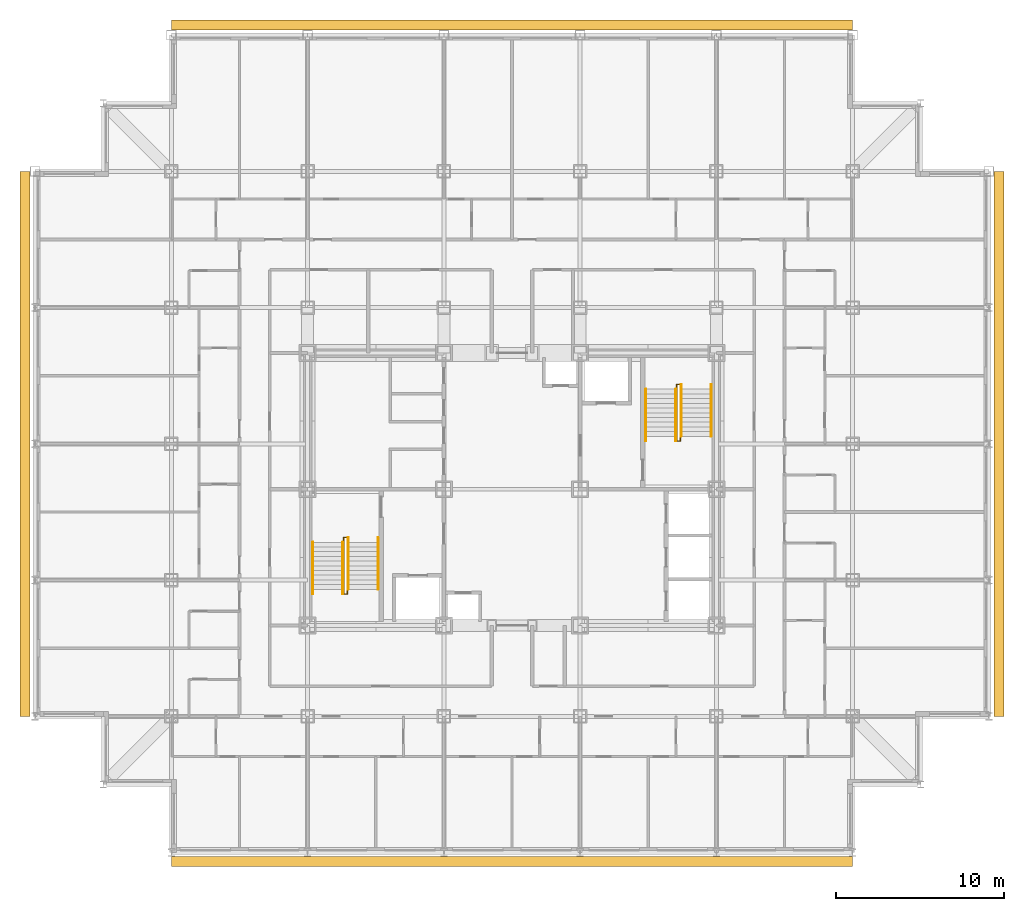
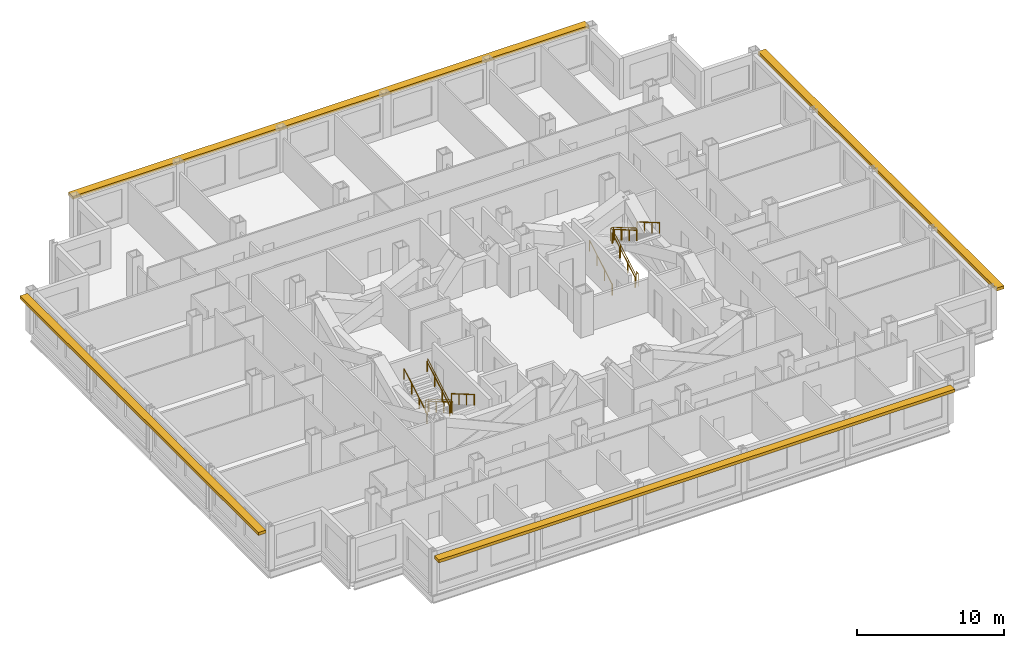
# One storey, part 12 of 12: 10 railings, 4 shading devices.
"""IFC4 building model written with IfcOpenShell, lengths in metres."""

import ifcopenshell
import ifcopenshell.guid

model = None  # the IFC model being written
_history = None  # IfcOwnerHistory: only IFC2X3 demands one
_inside = {}  # id of a spatial element -> (the spatial element, [elements in it])
_under = {}  # id of a project, library or spatial element -> (it, [spatial elements below it])
_declared = {}  # id of a project -> (the project, [libraries it declares])
_typed = {}  # id of a type object -> (the type object, [elements of that type])
_made_of = {}  # id of a material, layer set ... -> (it, [elements and type objects made of it])


def new_model(schema):
    """Start an empty IFC model of exactly this schema.

    Asked for "IFC4X3", IfcOpenShell would pick the latest addendum, in which some entities
    have other attributes; the version numbers below select the first issue.
    IFC2X3 requires an IfcOwnerHistory on every rooted entity: one is made here for all.
    """
    global model, _history
    if schema == "IFC4X3":
        model = ifcopenshell.file(schema_version=(4, 3, 0, 0))
    else:
        model = ifcopenshell.file(schema=schema)
    _inside.clear()
    _under.clear()
    _declared.clear()
    _typed.clear()
    _made_of.clear()
    _history = None
    if model.schema == "IFC2X3":
        org = make("IfcOrganization", Name="unknown")
        user = make(
            "IfcPersonAndOrganization",
            ThePerson=make("IfcPerson", FamilyName="unknown"),
            TheOrganization=org,
        )
        app = make(
            "IfcApplication",
            ApplicationDeveloper=org,
            Version="unknown",
            ApplicationFullName="unknown",
            ApplicationIdentifier="unknown",
        )
        _history = make(
            "IfcOwnerHistory",
            OwningUser=user,
            OwningApplication=app,
            ChangeAction="ADDED",
            CreationDate=0,
        )
    return model


def make(cls, **values):
    """One entity of the class cls with the attributes given. An attribute that is None is left unset."""
    return model.create_entity(
        cls, **{name: value for name, value in values.items() if value is not None}
    )


def rooted(cls, **values):
    """An entity with a GlobalId (a new one), such as an element, a storey or a relation."""
    return make(cls, GlobalId=ifcopenshell.guid.new(), OwnerHistory=_history, **values)


def si_unit(unit_type, name, prefix=None):
    """IfcSIUnit, for example si_unit("LENGTHUNIT", "METRE", prefix="MILLI")."""
    return make("IfcSIUnit", UnitType=unit_type, Prefix=prefix, Name=name)


def assignment(units):
    """IfcUnitAssignment: the units of a project."""
    return None if units is None else make("IfcUnitAssignment", Units=units)


def point(xyz):
    """IfcCartesianPoint."""
    return None if xyz is None else make("IfcCartesianPoint", Coordinates=xyz)


def direction(xyz):
    """IfcDirection."""
    return None if xyz is None else make("IfcDirection", DirectionRatios=xyz)


def frame(location, z_axis=None, x_axis=None):
    """IfcAxis2Placement3D, a coordinate frame: its origin and axes. An axis left out is left unset."""
    return make(
        "IfcAxis2Placement3D",
        Location=point(location),
        Axis=direction(z_axis),
        RefDirection=direction(x_axis),
    )


def frame_2d(location, x_axis=None):
    """IfcAxis2Placement2D, a coordinate frame in the plane: its origin and x axis."""
    return make(
        "IfcAxis2Placement2D", Location=point(location), RefDirection=direction(x_axis)
    )


def origin():
    """The frame at (0, 0, 0) with its axes left unset."""
    return frame((0.0, 0.0, 0.0))


def origin_2d():
    """The frame at (0, 0) in the plane with its x axis left unset."""
    return frame_2d((0.0, 0.0))


def place(relative_to, where):
    """IfcLocalPlacement: puts the frame where relative to a parent placement (None: the world)."""
    return make(
        "IfcLocalPlacement", PlacementRelTo=relative_to, RelativePlacement=where
    )


def context(
    kind, dimensions, precision=None, world=None, true_north=None, identifier=None
):
    """IfcGeometricRepresentationContext, for example the 3D "Model" context."""
    return make(
        "IfcGeometricRepresentationContext",
        ContextIdentifier=identifier,
        ContextType=kind,
        CoordinateSpaceDimension=dimensions,
        Precision=precision,
        WorldCoordinateSystem=world,
        TrueNorth=true_north,
    )


def subcontext(parent, identifier, kind, view, scale=None):
    """IfcGeometricRepresentationSubContext, for example "Body" below "Model"."""
    return make(
        "IfcGeometricRepresentationSubContext",
        ContextIdentifier=identifier,
        ContextType=kind,
        ParentContext=parent,
        TargetScale=scale,
        TargetView=view,
    )


def project(units=None, contexts=None):
    """IfcProject with its units and contexts."""
    return rooted(
        "IfcProject",
        Name="project",
        RepresentationContexts=contexts,
        UnitsInContext=assignment(units),
    )


def spatial(cls, under=None, at=None, **own):
    """A site, building, storey or space (cls), placed at a placement, below another one or the project."""
    s = rooted(cls, ObjectPlacement=at, **own)
    if under is not None:
        _under.setdefault(under.id(), (under, []))[1].append(s)
    return s


def profile(cls, at=None, kind="AREA", **sizes):
    """A parametric profile (cls). Its sizes go by their IFC names, for example OverallWidth=200.0."""
    return make(cls, ProfileType=kind, Position=at, **sizes)


def rectangle(**sizes):
    """IfcRectangleProfileDef."""
    return profile("IfcRectangleProfileDef", **sizes)


def circle(**sizes):
    """IfcCircleProfileDef."""
    return profile("IfcCircleProfileDef", **sizes)


def extrude(swept, where, along, depth):
    """IfcExtrudedAreaSolid: the profile swept, set in the frame where, extruded along a direction by depth."""
    return make(
        "IfcExtrudedAreaSolid",
        SweptArea=swept,
        Position=where,
        ExtrudedDirection=direction(along),
        Depth=depth,
    )


def shape(context_of_items, identifier, shape_type, items):
    """IfcShapeRepresentation: the items that make up one representation, for example the "Body"."""
    return make(
        "IfcShapeRepresentation",
        ContextOfItems=context_of_items,
        RepresentationIdentifier=identifier,
        RepresentationType=shape_type,
        Items=items,
    )


def material(Name=None, Category=None):
    """IfcMaterial."""
    return make("IfcMaterial", Name=Name, Category=Category)


def made_of(thing, what):
    """Note that an element or type object is made of a material, layer set ...; save() writes the relation."""
    if what is not None:
        _made_of.setdefault(what.id(), (what, []))[1].append(thing)
    return thing


def type_object(cls, material=None, **own):
    """A type object (cls), such as IfcWallType, which elements share."""
    return made_of(rooted(cls, **own), material)


def element(
    cls,
    number,
    at=None,
    inside=None,
    cuts=None,
    type_object=None,
    material=None,
    context=None,
    identifier="Body",
    shape_type=None,
    held_by="IfcProductDefinitionShape",
    body=None,
    shapes=None,
    **own,
):
    """One element of the class cls, such as IfcWall. Its Tag is "e" and its number.

    at: its placement. inside: the storey or other place that contains it. cuts: it is an
    opening in that element (IfcRelVoidsElement). A single representation is given by context,
    identifier, shape_type and body (its items); several are given by shapes. held_by: the class
    of the entity that holds the representations. save() writes the other relations.
    """
    e = rooted(cls, Tag="e%d" % number, ObjectPlacement=at, **own)
    if body is not None:
        shapes = [shape(context, identifier, shape_type, body)]
    if shapes is not None:
        e.Representation = make(held_by, Representations=shapes)
    if inside is not None:
        _inside.setdefault(inside.id(), (inside, []))[1].append(e)
    if cuts is not None:
        rooted(
            "IfcRelVoidsElement", RelatingBuildingElement=cuts, RelatedOpeningElement=e
        )
    if type_object is not None:
        _typed.setdefault(type_object.id(), (type_object, []))[1].append(e)
    return made_of(e, material)


def aggregate(whole, parts):
    """IfcRelAggregates: a whole, such as a stair, and the parts it consists of."""
    return rooted("IfcRelAggregates", RelatingObject=whole, RelatedObjects=parts)


def save(model, path):
    """Write the relations noted so far, then the file.

    IfcRelAggregates (storeys below a building ...), IfcRelContainedInSpatialStructure (elements
    in a storey), IfcRelDefinesByType, IfcRelAssociatesMaterial and IfcRelDeclares: one each for
    every whole, place, type object, material and project.
    """
    for whole, parts in _under.values():
        aggregate(whole, parts)
    for where, things in _inside.values():
        rooted(
            "IfcRelContainedInSpatialStructure",
            RelatedElements=things,
            RelatingStructure=where,
        )
    for kind, things in _typed.values():
        rooted("IfcRelDefinesByType", RelatedObjects=things, RelatingType=kind)
    for what, things in _made_of.values():
        rooted("IfcRelAssociatesMaterial", RelatedObjects=things, RelatingMaterial=what)
    for by, libraries in _declared.values():
        rooted("IfcRelDeclares", RelatingContext=by, RelatedDefinitions=libraries)
    model.write(path)


model = new_model("IFC4")

# Units and contexts
model_context = context("Model", 3, precision=1e-05, world=origin(), true_north=direction((0.0, 1.0)))
body_context = subcontext(model_context, "Body", "Model", "MODEL_VIEW")
ifc_project = project(units=[si_unit("LENGTHUNIT", "METRE"), si_unit("AREAUNIT", "SQUARE_METRE"), si_unit("VOLUMEUNIT", "CUBIC_METRE"), si_unit("PLANEANGLEUNIT", "RADIAN"), si_unit("MASSUNIT", "GRAM", prefix="KILO")], contexts=[model_context])

# Site, building, storey
site_placement = place(None, origin())
site = spatial("IfcSite", under=ifc_project, at=site_placement, CompositionType="ELEMENT")
building_placement = place(site_placement, origin())
building = spatial("IfcBuilding", under=site, at=building_placement, Name="Kopane Lantern Tower", CompositionType="ELEMENT")
storey_placement = place(building_placement, frame((0.0, 0.0, 188.39990234375)))
storey = spatial("IfcBuildingStorey", under=building, at=storey_placement, Name="L48", CompositionType="ELEMENT", Elevation=188.39990234375)

# Railings
ifc_material_1 = material(Name="Steel", Category="steel")
railing_type_1 = type_object("IfcRailingType", Name="STAIR GUARD 1100", PredefinedType="GUARDRAIL", material=ifc_material_1)
railing_1_placement = place(storey_placement, frame((18.35009765625, 29.25, 0.0)))
element("IfcRailing", 1, at=railing_1_placement, inside=storey, type_object=railing_type_1, Name="ST1 well guard L48", PredefinedType="GUARDRAIL", context=body_context, shape_type="SweptSolid", body=[
    extrude(circle(Radius=0.02392578125, at=origin_2d()), frame((0.0, 0.0, 1.076171875), z_axis=(0.0, 1.0, 0.0), x_axis=(-1.0, 0.0, 0.0)), (0.0, 0.0, 1.0), 0.280029296875),
    extrude(circle(Radius=0.02392578125, at=origin_2d()), frame((0.0, 0.280029296875, 1.076171875), z_axis=(1.0, 0.0, 0.0), x_axis=(0.0, 1.0, 0.0)), (0.0, 0.0, 1.0), 0.199951171875),
    extrude(circle(Radius=0.02392578125, at=origin_2d()), frame((0.199951171875, 0.280029296875, 1.076171875), z_axis=(0.0, -0.863371556955, 0.504568681787), x_axis=(1.0, 0.0, 0.0)), (0.0, 0.0, 1.0), 3.5673828125),
    extrude(circle(Radius=0.02392578125, at=origin_2d()), frame((0.199951171875, -2.800048828125, 2.8759765625), z_axis=(0.0, -1.0, 0.0), x_axis=(1.0, 0.0, 0.0)), (0.0, 0.0, 1.0), 0.280029296875),
    extrude(circle(Radius=0.02392578125, at=origin_2d()), frame((0.199951171875, -3.080078125, 2.8759765625), z_axis=(-1.0, 0.0, 0.0), x_axis=(0.0, -1.0, 0.0)), (0.0, 0.0, 1.0), 0.199951171875),
    extrude(circle(Radius=0.02392578125, at=origin_2d()), frame((0.0, -3.080078125, 2.8759765625), z_axis=(0.0, 0.863371556955, 0.504568681787), x_axis=(-1.0, 0.0, 0.0)), (0.0, 0.0, 1.0), 3.5673828125),
    extrude(circle(Radius=0.02099609375, at=origin_2d()), origin(), (0.0, 0.0, 1.0), 1.052001953125),
    extrude(circle(Radius=0.02099609375, at=origin_2d()), frame((0.0, 0.280029296875, 0.0)), (0.0, 0.0, 1.0), 1.052001953125),
    extrude(circle(Radius=0.02099609375, at=origin_2d()), frame((0.199951171875, 0.280029296875, 0.0)), (0.0, 0.0, 1.0), 1.052001953125),
    extrude(circle(Radius=0.02099609375, at=origin_2d()), frame((0.199951171875, -0.74658203125, 0.60009765625)), (0.0, 0.0, 1.0), 1.052001953125),
    extrude(circle(Radius=0.02099609375, at=origin_2d()), frame((0.199951171875, -1.7734375, 1.199951171875)), (0.0, 0.0, 1.0), 1.052001953125),
    extrude(circle(Radius=0.02099609375, at=origin_2d()), frame((0.199951171875, -2.800048828125, 1.800048828125)), (0.0, 0.0, 1.0), 1.052001953125),
    extrude(circle(Radius=0.02099609375, at=origin_2d()), frame((0.199951171875, -3.080078125, 1.800048828125)), (0.0, 0.0, 1.0), 1.052001953125),
    extrude(circle(Radius=0.02099609375, at=origin_2d()), frame((0.0, -3.080078125, 1.800048828125)), (0.0, 0.0, 1.0), 1.052001953125),
    extrude(circle(Radius=0.02099609375, at=origin_2d()), frame((0.0, -2.053466796875, 2.400146484375)), (0.0, 0.0, 1.0), 1.052001953125),
    extrude(circle(Radius=0.02099609375, at=origin_2d()), frame((0.0, -1.026611328125, 3.0)), (0.0, 0.0, 1.0), 1.052001953125),
    extrude(circle(Radius=0.02099609375, at=origin_2d()), frame((0.0, 0.0, 3.60009765625)), (0.0, 0.0, 1.0), 1.052001953125),
])
railing_2_placement = place(storey_placement, frame((38.35009765625, 35.550048828125, 0.0)))
element("IfcRailing", 2, at=railing_2_placement, inside=storey, type_object=railing_type_1, Name="ST2 well guard L48", PredefinedType="GUARDRAIL", context=body_context, shape_type="SweptSolid", body=[
    extrude(circle(Radius=0.02392578125, at=origin_2d()), frame((0.0, 0.0, 1.076171875), z_axis=(0.0, -1.0, 0.0), x_axis=(1.0, 0.0, 0.0)), (0.0, 0.0, 1.0), 0.280029296875),
    extrude(circle(Radius=0.02392578125, at=origin_2d()), frame((0.0, -0.280029296875, 1.076171875), z_axis=(-1.0, 0.0, 0.0), x_axis=(0.0, -1.0, 0.0)), (0.0, 0.0, 1.0), 0.2001953125),
    extrude(circle(Radius=0.02392578125, at=origin_2d()), frame((-0.2001953125, -0.280029296875, 1.076171875), z_axis=(0.0, 0.863371556955, 0.504568681787), x_axis=(-1.0, 0.0, 0.0)), (0.0, 0.0, 1.0), 3.5673828125),
    extrude(circle(Radius=0.02392578125, at=origin_2d()), frame((-0.2001953125, 2.800048828125, 2.8759765625), z_axis=(0.0, 1.0, 0.0), x_axis=(-1.0, 0.0, 0.0)), (0.0, 0.0, 1.0), 0.27978515625),
    extrude(circle(Radius=0.02392578125, at=origin_2d()), frame((-0.2001953125, 3.079833984375, 2.8759765625), z_axis=(1.0, 0.0, 0.0), x_axis=(0.0, 1.0, 0.0)), (0.0, 0.0, 1.0), 0.2001953125),
    extrude(circle(Radius=0.02392578125, at=origin_2d()), frame((0.0, 3.079833984375, 2.8759765625), z_axis=(0.0, -0.863354132664, 0.504598495452), x_axis=(1.0, 0.0, 0.0)), (0.0, 0.0, 1.0), 3.5673828125),
    extrude(circle(Radius=0.02099609375, at=origin_2d()), origin(), (0.0, 0.0, 1.0), 1.052001953125),
    extrude(circle(Radius=0.02099609375, at=origin_2d()), frame((0.0, -0.280029296875, 0.0)), (0.0, 0.0, 1.0), 1.052001953125),
    extrude(circle(Radius=0.02099609375, at=origin_2d()), frame((-0.2001953125, -0.280029296875, 0.0)), (0.0, 0.0, 1.0), 1.052001953125),
    extrude(circle(Radius=0.02099609375, at=origin_2d()), frame((-0.2001953125, 0.74658203125, 0.60009765625)), (0.0, 0.0, 1.0), 1.052001953125),
    extrude(circle(Radius=0.02099609375, at=origin_2d()), frame((-0.2001953125, 1.7734375, 1.199951171875)), (0.0, 0.0, 1.0), 1.052001953125),
    extrude(circle(Radius=0.02099609375, at=origin_2d()), frame((-0.2001953125, 2.800048828125, 1.800048828125)), (0.0, 0.0, 1.0), 1.052001953125),
    extrude(circle(Radius=0.02099609375, at=origin_2d()), frame((-0.2001953125, 3.079833984375, 1.800048828125)), (0.0, 0.0, 1.0), 1.052001953125),
    extrude(circle(Radius=0.02099609375, at=origin_2d()), frame((0.0, 3.079833984375, 1.800048828125)), (0.0, 0.0, 1.0), 1.052001953125),
    extrude(circle(Radius=0.02099609375, at=origin_2d()), frame((0.0, 2.05322265625, 2.400146484375)), (0.0, 0.0, 1.0), 1.052001953125),
    extrude(circle(Radius=0.02099609375, at=origin_2d()), frame((0.0, 1.026611328125, 3.0)), (0.0, 0.0, 1.0), 1.052001953125),
    extrude(circle(Radius=0.02099609375, at=origin_2d()), frame((0.0, 0.0, 3.60009765625)), (0.0, 0.0, 1.0), 1.052001953125),
])
ifc_material_2 = material(Name="Steel", Category="steel")
railing_type_2 = type_object("IfcRailingType", Name="STAIR HANDRAIL 900", PredefinedType="HANDRAIL", material=ifc_material_2)
for number, where, name in (
    (3, (20.389892578125, 29.530029296875, 0.0), "ST1 handrail L48 flight 1"),
    (4, (18.610107421875, 29.530029296875, 0.0), "ST1 handrail L48 flight 1"),
):
    element("IfcRailing", number, at=place(storey_placement, frame(where)), inside=storey, type_object=railing_type_2, Name=name, PredefinedType="HANDRAIL", context=body_context, shape_type="SweptSolid", body=[
        extrude(circle(Radius=0.02392578125, at=origin_2d()), frame((0.0, 0.0, 0.8759765625), z_axis=(0.0, -0.863371556955, 0.504568681787), x_axis=(1.0, 0.0, 0.0)), (0.0, 0.0, 1.0), 3.5673828125),
        extrude(circle(Radius=0.02099609375, at=origin_2d()), origin(), (0.0, 0.0, 1.0), 0.851806640625),
        extrude(circle(Radius=0.02099609375, at=origin_2d()), frame((0.0, -1.026611328125, 0.60009765625)), (0.0, 0.0, 1.0), 0.851806640625),
        extrude(circle(Radius=0.02099609375, at=origin_2d()), frame((0.0, -2.053466796875, 1.199951171875)), (0.0, 0.0, 1.0), 0.851806640625),
        extrude(circle(Radius=0.02099609375, at=origin_2d()), frame((0.0, -3.080078125, 1.800048828125)), (0.0, 0.0, 1.0), 0.851806640625),
    ])
for number, where, name in (
    (5, (16.510009765625, 26.169921875, 1.800048828125), "ST1 handrail L48 flight 2"),
    (6, (18.2900390625, 26.169921875, 1.800048828125), "ST1 handrail L48 flight 2"),
    (7, (36.31005859375, 35.27001953125, 0.0), "ST2 handrail L48 flight 1"),
    (8, (38.090087890625, 35.27001953125, 0.0), "ST2 handrail L48 flight 1"),
):
    element("IfcRailing", number, at=place(storey_placement, frame(where)), inside=storey, type_object=railing_type_2, Name=name, PredefinedType="HANDRAIL", context=body_context, shape_type="SweptSolid", body=[
        extrude(circle(Radius=0.02392578125, at=origin_2d()), frame((0.0, 0.0, 0.8759765625), z_axis=(0.0, 0.863371556955, 0.504568681787), x_axis=(-1.0, 0.0, 0.0)), (0.0, 0.0, 1.0), 3.5673828125),
        extrude(circle(Radius=0.02099609375, at=origin_2d()), origin(), (0.0, 0.0, 1.0), 0.851806640625),
        extrude(circle(Radius=0.02099609375, at=origin_2d()), frame((0.0, 1.026611328125, 0.60009765625)), (0.0, 0.0, 1.0), 0.851806640625),
        extrude(circle(Radius=0.02099609375, at=origin_2d()), frame((0.0, 2.053466796875, 1.199951171875)), (0.0, 0.0, 1.0), 0.851806640625),
        extrude(circle(Radius=0.02099609375, at=origin_2d()), frame((0.0, 3.080078125, 1.800048828125)), (0.0, 0.0, 1.0), 0.851806640625),
    ])
for number, where, name in (
    (9, (40.18994140625, 38.6298828125, 1.800048828125), "ST2 handrail L48 flight 2"),
    (10, (38.409912109375, 38.6298828125, 1.800048828125), "ST2 handrail L48 flight 2"),
):
    element("IfcRailing", number, at=place(storey_placement, frame(where)), inside=storey, type_object=railing_type_2, Name=name, PredefinedType="HANDRAIL", context=body_context, shape_type="SweptSolid", body=[
        extrude(circle(Radius=0.02392578125, at=origin_2d()), frame((0.0, 0.0, 0.8759765625), z_axis=(0.0, -0.863354132664, 0.504598495452), x_axis=(1.0, 0.0, 0.0)), (0.0, 0.0, 1.0), 3.5673828125),
        extrude(circle(Radius=0.02099609375, at=origin_2d()), origin(), (0.0, 0.0, 1.0), 0.851806640625),
        extrude(circle(Radius=0.02099609375, at=origin_2d()), frame((0.0, -1.026611328125, 0.60009765625)), (0.0, 0.0, 1.0), 0.851806640625),
        extrude(circle(Radius=0.02099609375, at=origin_2d()), frame((0.0, -2.05322265625, 1.199951171875)), (0.0, 0.0, 1.0), 0.851806640625),
        extrude(circle(Radius=0.02099609375, at=origin_2d()), frame((0.0, -3.079833984375, 1.800048828125)), (0.0, 0.0, 1.0), 0.851806640625),
    ])

# Shading devices
ifc_material_3 = material(Name="Terracotta rainscreen on light steel framing", Category="masonry")
shading_device_type = type_object("IfcShadingDeviceType", Name="SUNSHADE BAND SB1 600 TERRACOTTA", PredefinedType="USERDEFINED", material=ifc_material_3)
shading_device_1_placement = place(storey_placement, frame((28.35009765625, 10.2626953125, 3.0), z_axis=(0.0, 0.0, 1.0), x_axis=(1.0, 0.0, 0.0)))
element("IfcShadingDevice", 11, at=shading_device_1_placement, inside=storey, type_object=shading_device_type, Name="Sunshade band S L48", ObjectType="SUNSHADE BAND", PredefinedType="USERDEFINED", context=body_context, shape_type="SweptSolid", body=[
    extrude(rectangle(XDim=40.5, YDim=0.60009765625, at=origin_2d()), origin(), (0.0, 0.0, 1.0), 0.25),
])
shading_device_2_placement = place(storey_placement, frame((57.300048828125, 35.10009765625, 3.0), z_axis=(0.0, 0.0, 1.0), x_axis=(0.0, 1.0, 0.0)))
element("IfcShadingDevice", 12, at=shading_device_2_placement, inside=storey, type_object=shading_device_type, Name="Sunshade band E L48", ObjectType="SUNSHADE BAND", PredefinedType="USERDEFINED", context=body_context, shape_type="SweptSolid", body=[
    extrude(rectangle(XDim=32.39990234375, YDim=0.60009765625, at=origin_2d()), origin(), (0.0, 0.0, 1.0), 0.25),
])
shading_device_3_placement = place(storey_placement, frame((28.35009765625, 60.0, 3.0), z_axis=(0.0, 0.0, 1.0), x_axis=(-1.0, 0.0, 0.0)))
element("IfcShadingDevice", 13, at=shading_device_3_placement, inside=storey, type_object=shading_device_type, Name="Sunshade band N L48", ObjectType="SUNSHADE BAND", PredefinedType="USERDEFINED", context=body_context, shape_type="SweptSolid", body=[
    extrude(rectangle(XDim=40.5, YDim=0.60009765625, at=origin_2d()), origin(), (0.0, 0.0, 1.0), 0.25),
])
shading_device_4_placement = place(storey_placement, frame((-0.60009765625, 35.10009765625, 3.0), z_axis=(0.0, 0.0, 1.0), x_axis=(0.0, -1.0, 0.0)))
element("IfcShadingDevice", 14, at=shading_device_4_placement, inside=storey, type_object=shading_device_type, Name="Sunshade band W L48", ObjectType="SUNSHADE BAND", PredefinedType="USERDEFINED", context=body_context, shape_type="SweptSolid", body=[
    extrude(rectangle(XDim=32.39990234375, YDim=0.60009765625, at=origin_2d()), origin(), (0.0, 0.0, 1.0), 0.25),
])

save(model, "model.ifc")
